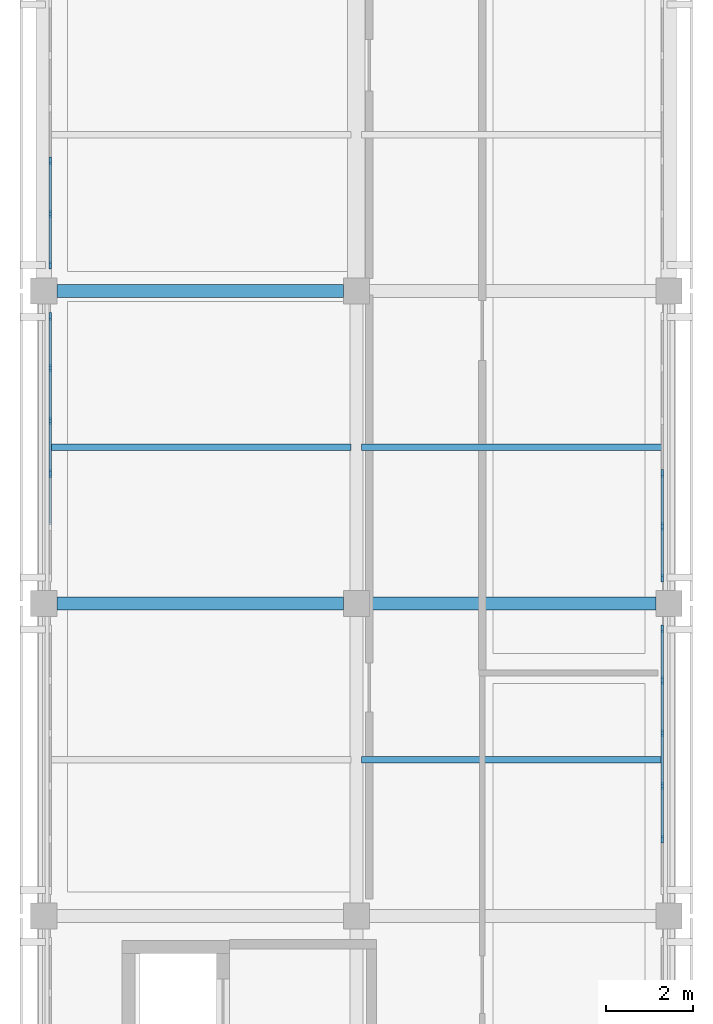
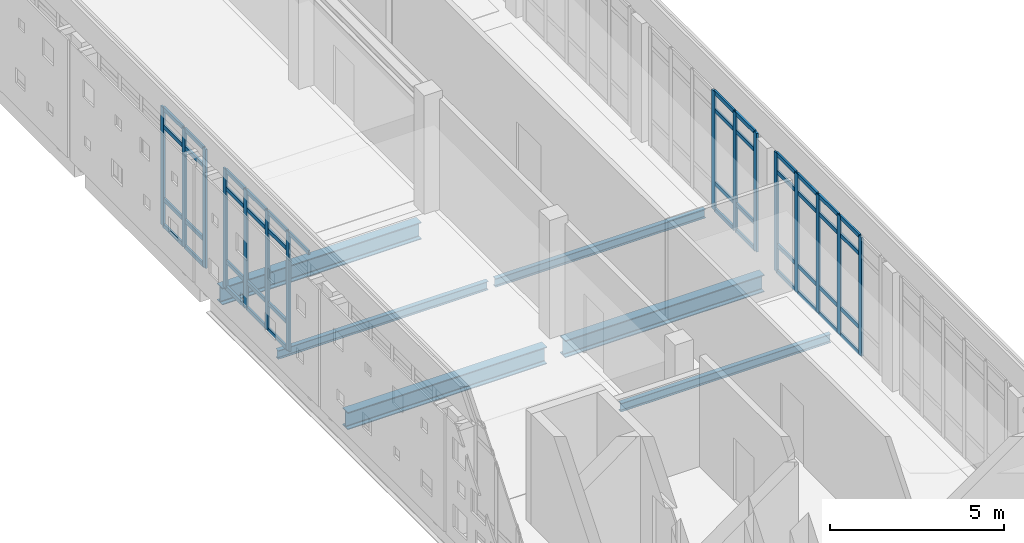
# One storey, part 5 of 19: 60 members, 6 beams, 4 elements without a shape of their own.
"""IFC4 building model written with IfcOpenShell, lengths in metres."""

from ifc_helpers import new_model, si_unit, direction, frame, origin, origin_2d, place, context, subcontext, project, spatial, rectangle, i_section, extrude, material, layer, layer_set, material_profile, profile_set, type_object, element, aggregate, save


model = new_model("IFC4")

# Units and contexts
model_context = context("Model", 3, precision=1e-05, world=origin(), true_north=direction((0.0, 1.0)))
body_context = subcontext(model_context, "Body", "Model", "MODEL_VIEW")
ifc_project = project(units=[si_unit("LENGTHUNIT", "METRE"), si_unit("AREAUNIT", "SQUARE_METRE"), si_unit("VOLUMEUNIT", "CUBIC_METRE"), si_unit("PLANEANGLEUNIT", "RADIAN"), si_unit("MASSUNIT", "GRAM", prefix="KILO")], contexts=[model_context])

# Site, building, storey
site_placement = place(None, origin())
site = spatial("IfcSite", under=ifc_project, at=site_placement, CompositionType="ELEMENT")
building_placement = place(site_placement, origin())
building = spatial("IfcBuilding", under=site, at=building_placement, Name="Valkovuoma Quantum and Materials Research Institute", CompositionType="ELEMENT")
storey_placement = place(building_placement, frame((0.0, 0.0, 38.080078125)))
storey = spatial("IfcBuildingStorey", under=building, at=storey_placement, Name="L09", CompositionType="ELEMENT", Elevation=38.080078125)

# Beams
ifc_material_1 = material(Name="Steel S355J2", Category="steel")
ifc_material_profile_1 = material_profile(ifc_material_1, i_section(OverallWidth=0.300048828125, OverallDepth=0.60009765625, WebThickness=0.015380859375, FlangeThickness=0.030029296875, FilletRadius=0.027099609375, at=origin_2d()), Name="Steel S355J2")
ifc_profile_set_1 = profile_set([ifc_material_profile_1], Name="Steel S355J2")
beam_type_1 = type_object("IfcBeamType", Name="Beam-B-HEB600", PredefinedType="BEAM", material=ifc_profile_set_1)
beam_1_placement = place(storey_placement, frame((0.300048828125, 50.39990234375, -0.650146484375), z_axis=(1.0, 0.0, 0.0), x_axis=(0.0, 1.0, 0.0)))
element("IfcBeam", 1, at=beam_1_placement, inside=storey, type_object=beam_type_1, Name="L09 beam X-2576", PredefinedType="BEAM", context=body_context, shape_type="SweptSolid", body=[
    extrude(i_section(OverallWidth=0.300048828125, OverallDepth=0.60009765625, WebThickness=0.015380859375, FlangeThickness=0.030029296875, FilletRadius=0.027099609375, at=origin_2d()), origin(), (0.0, 0.0, 1.0), 6.599853515625),
])
beam_2_placement = place(storey_placement, frame((7.5, 50.39990234375, -0.650146484375), z_axis=(1.0, 0.0, 0.0), x_axis=(0.0, 1.0, 0.0)))
element("IfcBeam", 2, at=beam_2_placement, inside=storey, type_object=beam_type_1, Name="L09 beam X-2577", PredefinedType="BEAM", context=body_context, shape_type="SweptSolid", body=[
    extrude(i_section(OverallWidth=0.300048828125, OverallDepth=0.60009765625, WebThickness=0.015380859375, FlangeThickness=0.030029296875, FilletRadius=0.027099609375, at=origin_2d()), origin(), (0.0, 0.0, 1.0), 6.60009765625),
])
beam_3_placement = place(storey_placement, frame((0.300048828125, 57.60009765625, -0.650146484375), z_axis=(1.0, 0.0, 0.0), x_axis=(0.0, 1.0, 0.0)))
element("IfcBeam", 3, at=beam_3_placement, inside=storey, type_object=beam_type_1, Name="L09 beam X-2578", PredefinedType="BEAM", context=body_context, shape_type="SweptSolid", body=[
    extrude(i_section(OverallWidth=0.300048828125, OverallDepth=0.60009765625, WebThickness=0.015380859375, FlangeThickness=0.030029296875, FilletRadius=0.027099609375, at=origin_2d()), origin(), (0.0, 0.0, 1.0), 6.599853515625),
])
ifc_material_2 = material(Name="Steel S355J2", Category="steel")
ifc_material_profile_2 = material_profile(ifc_material_2, i_section(OverallWidth=0.14990234375, OverallDepth=0.300048828125, WebThickness=0.007080078125, FlangeThickness=0.0107421875, FilletRadius=0.014892578125, at=origin_2d()), Name="Steel S355J2")
ifc_profile_set_2 = profile_set([ifc_material_profile_2], Name="Steel S355J2")
beam_type_2 = type_object("IfcBeamType", Name="Beam-B-JST300", PredefinedType="JOIST", material=ifc_profile_set_2)
for number, where, z_axis, x_axis, name in (
    (4, (7.320068359375, 46.800048828125, -0.5), (1.0, 0.0, 0.0), (0.0, 1.0, 0.0), "L09 floor joist 2603"),
    (5, (0.1201171875, 54.0, -0.5), (1.0, 0.0, 0.0), (0.0, 1.0, 0.0), "L09 floor joist 2604"),
    (6, (7.320068359375, 54.0, -0.5), (1.0, 0.0, 0.0), (0.0, 1.0, 0.0), "L09 floor joist 2605"),
):
    element("IfcBeam", number, at=place(storey_placement, frame(where, z_axis=z_axis, x_axis=x_axis)), inside=storey, type_object=beam_type_2, Name=name, PredefinedType="JOIST", context=body_context, shape_type="SweptSolid", body=[
        extrude(i_section(OverallWidth=0.14990234375, OverallDepth=0.300048828125, WebThickness=0.007080078125, FlangeThickness=0.0107421875, FilletRadius=0.014892578125, at=origin_2d()), origin(), (0.0, 0.0, 1.0), 6.9599609375),
    ])

# Curtain wall, members
ifc_material_3 = material(Name="Thermally broken aluminium and triple low-E glazing", Category="aluminium")
ifc_layer = layer(ifc_material_3, 0.219970703125)
ifc_layer_set = layer_set([ifc_layer], Name="Thermally broken aluminium and triple low-E glazing")
curtain_wall_type = type_object("IfcCurtainWallType", Name="CW-CW-01", PredefinedType="NOTDEFINED", material=ifc_layer_set)
curtain_wall_1_placement = place(storey_placement, origin())
curtain_wall_1 = element("IfcCurtainWall", 7, at=curtain_wall_1_placement, inside=storey, type_object=curtain_wall_type, Name="L09 curtain wall 133", PredefinedType="NOTDEFINED")
ifc_material_4 = material(Name="Anodised aluminium 6060-T66", Category="aluminium")
ifc_material_profile_3 = material_profile(ifc_material_4, rectangle(XDim=0.06494140625, YDim=0.179931640625, at=origin_2d()), Name="Anodised aluminium 6060-T66")
ifc_profile_set_3 = profile_set([ifc_material_profile_3], Name="Anodised aluminium 6060-T66")
member_type_1 = type_object("IfcMemberType", Name="CWMull-CWM-01", PredefinedType="MULLION", material=ifc_profile_set_3)
member_1_placement = place(storey_placement, frame((14.25, 44.974365234375, 0.0), z_axis=(0.0, 0.0, 1.0), x_axis=(-1.0, 0.0, 0.0)))
member_1 = element("IfcMember", 8, at=member_1_placement, type_object=member_type_1, Name="CW-01 mullion 2", PredefinedType="MULLION", context=body_context, shape_type="SweptSolid", body=[
    extrude(rectangle(XDim=0.06494140625, YDim=0.179931640625, at=origin_2d()), origin(), (0.0, 0.0, 1.0), 4.159912109375),
])
member_2_placement = place(storey_placement, frame((14.25, 46.19140625, 0.0), z_axis=(0.0, 0.0, 1.0), x_axis=(-1.0, 0.0, 0.0)))
member_2 = element("IfcMember", 9, at=member_2_placement, type_object=member_type_1, Name="CW-01 mullion 3", PredefinedType="MULLION", context=body_context, shape_type="SweptSolid", body=[
    extrude(rectangle(XDim=0.06494140625, YDim=0.179931640625, at=origin_2d()), origin(), (0.0, 0.0, 1.0), 4.159912109375),
])
member_3_placement = place(storey_placement, frame((14.25, 47.40869140625, 0.0), z_axis=(0.0, 0.0, 1.0), x_axis=(-1.0, 0.0, 0.0)))
member_3 = element("IfcMember", 10, at=member_3_placement, type_object=member_type_1, Name="CW-01 mullion 4", PredefinedType="MULLION", context=body_context, shape_type="SweptSolid", body=[
    extrude(rectangle(XDim=0.06494140625, YDim=0.179931640625, at=origin_2d()), origin(), (0.0, 0.0, 1.0), 4.159912109375),
])
member_4_placement = place(storey_placement, frame((14.25, 48.625732421875, 0.0), z_axis=(0.0, 0.0, 1.0), x_axis=(-1.0, 0.0, 0.0)))
member_4 = element("IfcMember", 11, at=member_4_placement, type_object=member_type_1, Name="CW-01 mullion 5", PredefinedType="MULLION", context=body_context, shape_type="SweptSolid", body=[
    extrude(rectangle(XDim=0.06494140625, YDim=0.179931640625, at=origin_2d()), origin(), (0.0, 0.0, 1.0), 4.159912109375),
])
member_5_placement = place(storey_placement, frame((14.25, 49.810302734375, 0.0), z_axis=(0.0, 0.0, 1.0), x_axis=(-1.0, 0.0, 0.0)))
member_5 = element("IfcMember", 12, at=member_5_placement, type_object=member_type_1, Name="CW-01 mullion 6", PredefinedType="MULLION", context=body_context, shape_type="SweptSolid", body=[
    extrude(rectangle(XDim=0.06494140625, YDim=0.179931640625, at=origin_2d()), origin(), (0.0, 0.0, 1.0), 4.159912109375),
])

curtain_wall_2_placement = place(storey_placement, origin())
curtain_wall_2 = element("IfcCurtainWall", 13, at=curtain_wall_2_placement, inside=storey, type_object=curtain_wall_type, Name="L09 curtain wall 134", PredefinedType="NOTDEFINED")
member_6_placement = place(storey_placement, frame((0.14990234375, 53.391357421875, 0.0), z_axis=(0.0, 0.0, 1.0), x_axis=(-1.0, 0.0, 0.0)))
member_6 = element("IfcMember", 14, at=member_6_placement, type_object=member_type_1, Name="CW-01 mullion 3", PredefinedType="MULLION", context=body_context, shape_type="SweptSolid", body=[
    extrude(rectangle(XDim=0.06494140625, YDim=0.179931640625, at=origin_2d()), origin(), (0.0, 0.0, 1.0), 4.159912109375),
])
member_7_placement = place(storey_placement, frame((0.14990234375, 54.608642578125, 0.0), z_axis=(0.0, 0.0, 1.0), x_axis=(-1.0, 0.0, 0.0)))
member_7 = element("IfcMember", 15, at=member_7_placement, type_object=member_type_1, Name="CW-01 mullion 4", PredefinedType="MULLION", context=body_context, shape_type="SweptSolid", body=[
    extrude(rectangle(XDim=0.06494140625, YDim=0.179931640625, at=origin_2d()), origin(), (0.0, 0.0, 1.0), 4.159912109375),
])
member_8_placement = place(storey_placement, frame((0.14990234375, 55.82568359375, 0.0), z_axis=(0.0, 0.0, 1.0), x_axis=(-1.0, 0.0, 0.0)))
member_8 = element("IfcMember", 16, at=member_8_placement, type_object=member_type_1, Name="CW-01 mullion 5", PredefinedType="MULLION", context=body_context, shape_type="SweptSolid", body=[
    extrude(rectangle(XDim=0.06494140625, YDim=0.179931640625, at=origin_2d()), origin(), (0.0, 0.0, 1.0), 4.159912109375),
])
member_9_placement = place(storey_placement, frame((0.14990234375, 57.010498046875, 0.0), z_axis=(0.0, 0.0, 1.0), x_axis=(-1.0, 0.0, 0.0)))
member_9 = element("IfcMember", 17, at=member_9_placement, type_object=member_type_1, Name="CW-01 mullion 6", PredefinedType="MULLION", context=body_context, shape_type="SweptSolid", body=[
    extrude(rectangle(XDim=0.06494140625, YDim=0.179931640625, at=origin_2d()), origin(), (0.0, 0.0, 1.0), 4.159912109375),
])

curtain_wall_3_placement = place(storey_placement, origin())
curtain_wall_3 = element("IfcCurtainWall", 18, at=curtain_wall_3_placement, inside=storey, type_object=curtain_wall_type, Name="L09 curtain wall 135", PredefinedType="NOTDEFINED")
member_10_placement = place(storey_placement, frame((14.25, 50.989501953125, 0.0), z_axis=(0.0, 0.0, 1.0), x_axis=(-1.0, 0.0, 0.0)))
member_10 = element("IfcMember", 19, at=member_10_placement, type_object=member_type_1, Name="CW-01 mullion 1", PredefinedType="MULLION", context=body_context, shape_type="SweptSolid", body=[
    extrude(rectangle(XDim=0.06494140625, YDim=0.179931640625, at=origin_2d()), origin(), (0.0, 0.0, 1.0), 4.159912109375),
])
member_11_placement = place(storey_placement, frame((14.25, 52.17431640625, 0.0), z_axis=(0.0, 0.0, 1.0), x_axis=(-1.0, 0.0, 0.0)))
member_11 = element("IfcMember", 20, at=member_11_placement, type_object=member_type_1, Name="CW-01 mullion 2", PredefinedType="MULLION", context=body_context, shape_type="SweptSolid", body=[
    extrude(rectangle(XDim=0.06494140625, YDim=0.179931640625, at=origin_2d()), origin(), (0.0, 0.0, 1.0), 4.159912109375),
])
member_12_placement = place(storey_placement, frame((14.25, 53.391357421875, 0.0), z_axis=(0.0, 0.0, 1.0), x_axis=(-1.0, 0.0, 0.0)))
member_12 = element("IfcMember", 21, at=member_12_placement, type_object=member_type_1, Name="CW-01 mullion 3", PredefinedType="MULLION", context=body_context, shape_type="SweptSolid", body=[
    extrude(rectangle(XDim=0.06494140625, YDim=0.179931640625, at=origin_2d()), origin(), (0.0, 0.0, 1.0), 4.159912109375),
])

curtain_wall_4_placement = place(storey_placement, origin())
curtain_wall_4 = element("IfcCurtainWall", 22, at=curtain_wall_4_placement, inside=storey, type_object=curtain_wall_type, Name="L09 curtain wall 136", PredefinedType="NOTDEFINED")
member_13_placement = place(storey_placement, frame((0.14990234375, 58.189697265625, 0.0), z_axis=(0.0, 0.0, 1.0), x_axis=(-1.0, 0.0, 0.0)))
member_13 = element("IfcMember", 23, at=member_13_placement, type_object=member_type_1, Name="CW-01 mullion 1", PredefinedType="MULLION", context=body_context, shape_type="SweptSolid", body=[
    extrude(rectangle(XDim=0.06494140625, YDim=0.179931640625, at=origin_2d()), origin(), (0.0, 0.0, 1.0), 4.159912109375),
])
member_14_placement = place(storey_placement, frame((0.14990234375, 59.374267578125, 0.0), z_axis=(0.0, 0.0, 1.0), x_axis=(-1.0, 0.0, 0.0)))
member_14 = element("IfcMember", 24, at=member_14_placement, type_object=member_type_1, Name="CW-01 mullion 2", PredefinedType="MULLION", context=body_context, shape_type="SweptSolid", body=[
    extrude(rectangle(XDim=0.06494140625, YDim=0.179931640625, at=origin_2d()), origin(), (0.0, 0.0, 1.0), 4.159912109375),
])
member_15_placement = place(storey_placement, frame((0.14990234375, 60.59130859375, 0.0), z_axis=(0.0, 0.0, 1.0), x_axis=(-1.0, 0.0, 0.0)))
member_15 = element("IfcMember", 25, at=member_15_placement, type_object=member_type_1, Name="CW-01 mullion 3", PredefinedType="MULLION", context=body_context, shape_type="SweptSolid", body=[
    extrude(rectangle(XDim=0.06494140625, YDim=0.179931640625, at=origin_2d()), origin(), (0.0, 0.0, 1.0), 4.159912109375),
])

# Member
ifc_material_5 = material(Name="Anodised aluminium 6060-T66", Category="aluminium")
ifc_material_profile_4 = material_profile(ifc_material_5, rectangle(XDim=0.06494140625, YDim=0.139892578125, at=origin_2d()), Name="Anodised aluminium 6060-T66")
ifc_profile_set_4 = profile_set([ifc_material_profile_4], Name="Anodised aluminium 6060-T66")
member_type_2 = type_object("IfcMemberType", Name="CWTran-CWT-01", PredefinedType="USERDEFINED", material=ifc_profile_set_4)
member_16_placement = place(storey_placement, frame((14.25, 45.0068359375, 0.032470703125), z_axis=(0.0, 1.0, 0.0), x_axis=(-1.0, 0.0, 0.0)))
member_16 = element("IfcMember", 26, at=member_16_placement, type_object=member_type_2, Name="CW-01 transom 2.1", ObjectType="TRANSOM", PredefinedType="USERDEFINED", context=body_context, shape_type="SweptSolid", body=[
    extrude(rectangle(XDim=0.06494140625, YDim=0.139892578125, at=origin_2d()), origin(), (0.0, 0.0, 1.0), 1.152099609375),
])

member_17_placement = place(storey_placement, frame((14.25, 45.0068359375, 0.949951171875), z_axis=(0.0, 1.0, 0.0), x_axis=(-1.0, 0.0, 0.0)))
member_17 = element("IfcMember", 27, at=member_17_placement, type_object=member_type_2, Name="CW-01 transom 2.2", ObjectType="TRANSOM", PredefinedType="USERDEFINED", context=body_context, shape_type="SweptSolid", body=[
    extrude(rectangle(XDim=0.06494140625, YDim=0.139892578125, at=origin_2d()), origin(), (0.0, 0.0, 1.0), 1.152099609375),
])

member_18_placement = place(storey_placement, frame((14.25, 45.0068359375, 3.510009765625), z_axis=(0.0, 1.0, 0.0), x_axis=(-1.0, 0.0, 0.0)))
member_18 = element("IfcMember", 28, at=member_18_placement, type_object=member_type_2, Name="CW-01 transom 2.3", ObjectType="TRANSOM", PredefinedType="USERDEFINED", context=body_context, shape_type="SweptSolid", body=[
    extrude(rectangle(XDim=0.06494140625, YDim=0.139892578125, at=origin_2d()), origin(), (0.0, 0.0, 1.0), 1.152099609375),
])

member_19_placement = place(storey_placement, frame((14.25, 45.0068359375, 4.12744140625), z_axis=(0.0, 1.0, 0.0), x_axis=(-1.0, 0.0, 0.0)))
member_19 = element("IfcMember", 29, at=member_19_placement, type_object=member_type_2, Name="CW-01 transom 2.4", ObjectType="TRANSOM", PredefinedType="USERDEFINED", context=body_context, shape_type="SweptSolid", body=[
    extrude(rectangle(XDim=0.06494140625, YDim=0.139892578125, at=origin_2d()), origin(), (0.0, 0.0, 1.0), 1.152099609375),
])

member_20_placement = place(storey_placement, frame((14.25, 46.223876953125, 0.032470703125), z_axis=(0.0, 1.0, 0.0), x_axis=(-1.0, 0.0, 0.0)))
member_20 = element("IfcMember", 30, at=member_20_placement, type_object=member_type_2, Name="CW-01 transom 3.1", ObjectType="TRANSOM", PredefinedType="USERDEFINED", context=body_context, shape_type="SweptSolid", body=[
    extrude(rectangle(XDim=0.06494140625, YDim=0.139892578125, at=origin_2d()), origin(), (0.0, 0.0, 1.0), 1.152099609375),
])

member_21_placement = place(storey_placement, frame((14.25, 46.223876953125, 0.949951171875), z_axis=(0.0, 1.0, 0.0), x_axis=(-1.0, 0.0, 0.0)))
member_21 = element("IfcMember", 31, at=member_21_placement, type_object=member_type_2, Name="CW-01 transom 3.2", ObjectType="TRANSOM", PredefinedType="USERDEFINED", context=body_context, shape_type="SweptSolid", body=[
    extrude(rectangle(XDim=0.06494140625, YDim=0.139892578125, at=origin_2d()), origin(), (0.0, 0.0, 1.0), 1.152099609375),
])

member_22_placement = place(storey_placement, frame((14.25, 46.223876953125, 3.510009765625), z_axis=(0.0, 1.0, 0.0), x_axis=(-1.0, 0.0, 0.0)))
member_22 = element("IfcMember", 32, at=member_22_placement, type_object=member_type_2, Name="CW-01 transom 3.3", ObjectType="TRANSOM", PredefinedType="USERDEFINED", context=body_context, shape_type="SweptSolid", body=[
    extrude(rectangle(XDim=0.06494140625, YDim=0.139892578125, at=origin_2d()), origin(), (0.0, 0.0, 1.0), 1.152099609375),
])

member_23_placement = place(storey_placement, frame((14.25, 46.223876953125, 4.12744140625), z_axis=(0.0, 1.0, 0.0), x_axis=(-1.0, 0.0, 0.0)))
member_23 = element("IfcMember", 33, at=member_23_placement, type_object=member_type_2, Name="CW-01 transom 3.4", ObjectType="TRANSOM", PredefinedType="USERDEFINED", context=body_context, shape_type="SweptSolid", body=[
    extrude(rectangle(XDim=0.06494140625, YDim=0.139892578125, at=origin_2d()), origin(), (0.0, 0.0, 1.0), 1.152099609375),
])

member_24_placement = place(storey_placement, frame((14.25, 47.441162109375, 0.032470703125), z_axis=(0.0, 1.0, 0.0), x_axis=(-1.0, 0.0, 0.0)))
member_24 = element("IfcMember", 34, at=member_24_placement, type_object=member_type_2, Name="CW-01 transom 4.1", ObjectType="TRANSOM", PredefinedType="USERDEFINED", context=body_context, shape_type="SweptSolid", body=[
    extrude(rectangle(XDim=0.06494140625, YDim=0.139892578125, at=origin_2d()), origin(), (0.0, 0.0, 1.0), 1.152099609375),
])

member_25_placement = place(storey_placement, frame((14.25, 47.441162109375, 0.949951171875), z_axis=(0.0, 1.0, 0.0), x_axis=(-1.0, 0.0, 0.0)))
member_25 = element("IfcMember", 35, at=member_25_placement, type_object=member_type_2, Name="CW-01 transom 4.2", ObjectType="TRANSOM", PredefinedType="USERDEFINED", context=body_context, shape_type="SweptSolid", body=[
    extrude(rectangle(XDim=0.06494140625, YDim=0.139892578125, at=origin_2d()), origin(), (0.0, 0.0, 1.0), 1.152099609375),
])

member_26_placement = place(storey_placement, frame((14.25, 47.441162109375, 3.510009765625), z_axis=(0.0, 1.0, 0.0), x_axis=(-1.0, 0.0, 0.0)))
member_26 = element("IfcMember", 36, at=member_26_placement, type_object=member_type_2, Name="CW-01 transom 4.3", ObjectType="TRANSOM", PredefinedType="USERDEFINED", context=body_context, shape_type="SweptSolid", body=[
    extrude(rectangle(XDim=0.06494140625, YDim=0.139892578125, at=origin_2d()), origin(), (0.0, 0.0, 1.0), 1.152099609375),
])

member_27_placement = place(storey_placement, frame((14.25, 47.441162109375, 4.12744140625), z_axis=(0.0, 1.0, 0.0), x_axis=(-1.0, 0.0, 0.0)))
member_27 = element("IfcMember", 37, at=member_27_placement, type_object=member_type_2, Name="CW-01 transom 4.4", ObjectType="TRANSOM", PredefinedType="USERDEFINED", context=body_context, shape_type="SweptSolid", body=[
    extrude(rectangle(XDim=0.06494140625, YDim=0.139892578125, at=origin_2d()), origin(), (0.0, 0.0, 1.0), 1.152099609375),
])

member_28_placement = place(storey_placement, frame((14.25, 48.658203125, 0.032470703125), z_axis=(0.0, 1.0, 0.0), x_axis=(-1.0, 0.0, 0.0)))
member_28 = element("IfcMember", 38, at=member_28_placement, type_object=member_type_2, Name="CW-01 transom 5.1", ObjectType="TRANSOM", PredefinedType="USERDEFINED", context=body_context, shape_type="SweptSolid", body=[
    extrude(rectangle(XDim=0.06494140625, YDim=0.139892578125, at=origin_2d()), origin(), (0.0, 0.0, 1.0), 1.11962890625),
])

member_29_placement = place(storey_placement, frame((14.25, 48.658203125, 0.949951171875), z_axis=(0.0, 1.0, 0.0), x_axis=(-1.0, 0.0, 0.0)))
member_29 = element("IfcMember", 39, at=member_29_placement, type_object=member_type_2, Name="CW-01 transom 5.2", ObjectType="TRANSOM", PredefinedType="USERDEFINED", context=body_context, shape_type="SweptSolid", body=[
    extrude(rectangle(XDim=0.06494140625, YDim=0.139892578125, at=origin_2d()), origin(), (0.0, 0.0, 1.0), 1.11962890625),
])

member_30_placement = place(storey_placement, frame((14.25, 48.658203125, 3.510009765625), z_axis=(0.0, 1.0, 0.0), x_axis=(-1.0, 0.0, 0.0)))
member_30 = element("IfcMember", 40, at=member_30_placement, type_object=member_type_2, Name="CW-01 transom 5.3", ObjectType="TRANSOM", PredefinedType="USERDEFINED", context=body_context, shape_type="SweptSolid", body=[
    extrude(rectangle(XDim=0.06494140625, YDim=0.139892578125, at=origin_2d()), origin(), (0.0, 0.0, 1.0), 1.11962890625),
])

member_31_placement = place(storey_placement, frame((14.25, 48.658203125, 4.12744140625), z_axis=(0.0, 1.0, 0.0), x_axis=(-1.0, 0.0, 0.0)))
member_31 = element("IfcMember", 41, at=member_31_placement, type_object=member_type_2, Name="CW-01 transom 5.4", ObjectType="TRANSOM", PredefinedType="USERDEFINED", context=body_context, shape_type="SweptSolid", body=[
    extrude(rectangle(XDim=0.06494140625, YDim=0.139892578125, at=origin_2d()), origin(), (0.0, 0.0, 1.0), 1.11962890625),
])

aggregate(curtain_wall_1, [member_1, member_2, member_3, member_4, member_5, member_16, member_17, member_18, member_19, member_20, member_21, member_22, member_23, member_24, member_25, member_26, member_27, member_28, member_29, member_30, member_31])

member_32_placement = place(storey_placement, frame((0.14990234375, 52.206787109375, 4.12744140625), z_axis=(0.0, 1.0, 0.0), x_axis=(-1.0, 0.0, 0.0)))
member_32 = element("IfcMember", 42, at=member_32_placement, type_object=member_type_2, Name="CW-01 transom 2.4", ObjectType="TRANSOM", PredefinedType="USERDEFINED", context=body_context, shape_type="SweptSolid", body=[
    extrude(rectangle(XDim=0.06494140625, YDim=0.139892578125, at=origin_2d()), origin(), (0.0, 0.0, 1.0), 1.152099609375),
])

member_33_placement = place(storey_placement, frame((0.14990234375, 53.423828125, 0.032470703125), z_axis=(0.0, 1.0, 0.0), x_axis=(-1.0, 0.0, 0.0)))
member_33 = element("IfcMember", 43, at=member_33_placement, type_object=member_type_2, Name="CW-01 transom 3.1", ObjectType="TRANSOM", PredefinedType="USERDEFINED", context=body_context, shape_type="SweptSolid", body=[
    extrude(rectangle(XDim=0.06494140625, YDim=0.139892578125, at=origin_2d()), origin(), (0.0, 0.0, 1.0), 1.15234375),
])

member_34_placement = place(storey_placement, frame((0.14990234375, 53.423828125, 0.949951171875), z_axis=(0.0, 1.0, 0.0), x_axis=(-1.0, 0.0, 0.0)))
member_34 = element("IfcMember", 44, at=member_34_placement, type_object=member_type_2, Name="CW-01 transom 3.2", ObjectType="TRANSOM", PredefinedType="USERDEFINED", context=body_context, shape_type="SweptSolid", body=[
    extrude(rectangle(XDim=0.06494140625, YDim=0.139892578125, at=origin_2d()), origin(), (0.0, 0.0, 1.0), 1.15234375),
])

member_35_placement = place(storey_placement, frame((0.14990234375, 53.423828125, 3.510009765625), z_axis=(0.0, 1.0, 0.0), x_axis=(-1.0, 0.0, 0.0)))
member_35 = element("IfcMember", 45, at=member_35_placement, type_object=member_type_2, Name="CW-01 transom 3.3", ObjectType="TRANSOM", PredefinedType="USERDEFINED", context=body_context, shape_type="SweptSolid", body=[
    extrude(rectangle(XDim=0.06494140625, YDim=0.139892578125, at=origin_2d()), origin(), (0.0, 0.0, 1.0), 1.15234375),
])

member_36_placement = place(storey_placement, frame((0.14990234375, 53.423828125, 4.12744140625), z_axis=(0.0, 1.0, 0.0), x_axis=(-1.0, 0.0, 0.0)))
member_36 = element("IfcMember", 46, at=member_36_placement, type_object=member_type_2, Name="CW-01 transom 3.4", ObjectType="TRANSOM", PredefinedType="USERDEFINED", context=body_context, shape_type="SweptSolid", body=[
    extrude(rectangle(XDim=0.06494140625, YDim=0.139892578125, at=origin_2d()), origin(), (0.0, 0.0, 1.0), 1.15234375),
])

member_37_placement = place(storey_placement, frame((0.14990234375, 54.64111328125, 0.032470703125), z_axis=(0.0, 1.0, 0.0), x_axis=(-1.0, 0.0, 0.0)))
member_37 = element("IfcMember", 47, at=member_37_placement, type_object=member_type_2, Name="CW-01 transom 4.1", ObjectType="TRANSOM", PredefinedType="USERDEFINED", context=body_context, shape_type="SweptSolid", body=[
    extrude(rectangle(XDim=0.06494140625, YDim=0.139892578125, at=origin_2d()), origin(), (0.0, 0.0, 1.0), 1.152099609375),
])

member_38_placement = place(storey_placement, frame((0.14990234375, 54.64111328125, 0.949951171875), z_axis=(0.0, 1.0, 0.0), x_axis=(-1.0, 0.0, 0.0)))
member_38 = element("IfcMember", 48, at=member_38_placement, type_object=member_type_2, Name="CW-01 transom 4.2", ObjectType="TRANSOM", PredefinedType="USERDEFINED", context=body_context, shape_type="SweptSolid", body=[
    extrude(rectangle(XDim=0.06494140625, YDim=0.139892578125, at=origin_2d()), origin(), (0.0, 0.0, 1.0), 1.152099609375),
])

member_39_placement = place(storey_placement, frame((0.14990234375, 54.64111328125, 3.510009765625), z_axis=(0.0, 1.0, 0.0), x_axis=(-1.0, 0.0, 0.0)))
member_39 = element("IfcMember", 49, at=member_39_placement, type_object=member_type_2, Name="CW-01 transom 4.3", ObjectType="TRANSOM", PredefinedType="USERDEFINED", context=body_context, shape_type="SweptSolid", body=[
    extrude(rectangle(XDim=0.06494140625, YDim=0.139892578125, at=origin_2d()), origin(), (0.0, 0.0, 1.0), 1.152099609375),
])

member_40_placement = place(storey_placement, frame((0.14990234375, 54.64111328125, 4.12744140625), z_axis=(0.0, 1.0, 0.0), x_axis=(-1.0, 0.0, 0.0)))
member_40 = element("IfcMember", 50, at=member_40_placement, type_object=member_type_2, Name="CW-01 transom 4.4", ObjectType="TRANSOM", PredefinedType="USERDEFINED", context=body_context, shape_type="SweptSolid", body=[
    extrude(rectangle(XDim=0.06494140625, YDim=0.139892578125, at=origin_2d()), origin(), (0.0, 0.0, 1.0), 1.152099609375),
])

member_41_placement = place(storey_placement, frame((0.14990234375, 55.858154296875, 0.032470703125), z_axis=(0.0, 1.0, 0.0), x_axis=(-1.0, 0.0, 0.0)))
member_41 = element("IfcMember", 51, at=member_41_placement, type_object=member_type_2, Name="CW-01 transom 5.1", ObjectType="TRANSOM", PredefinedType="USERDEFINED", context=body_context, shape_type="SweptSolid", body=[
    extrude(rectangle(XDim=0.06494140625, YDim=0.139892578125, at=origin_2d()), origin(), (0.0, 0.0, 1.0), 1.11962890625),
])

member_42_placement = place(storey_placement, frame((0.14990234375, 55.858154296875, 0.949951171875), z_axis=(0.0, 1.0, 0.0), x_axis=(-1.0, 0.0, 0.0)))
member_42 = element("IfcMember", 52, at=member_42_placement, type_object=member_type_2, Name="CW-01 transom 5.2", ObjectType="TRANSOM", PredefinedType="USERDEFINED", context=body_context, shape_type="SweptSolid", body=[
    extrude(rectangle(XDim=0.06494140625, YDim=0.139892578125, at=origin_2d()), origin(), (0.0, 0.0, 1.0), 1.11962890625),
])

member_43_placement = place(storey_placement, frame((0.14990234375, 55.858154296875, 3.510009765625), z_axis=(0.0, 1.0, 0.0), x_axis=(-1.0, 0.0, 0.0)))
member_43 = element("IfcMember", 53, at=member_43_placement, type_object=member_type_2, Name="CW-01 transom 5.3", ObjectType="TRANSOM", PredefinedType="USERDEFINED", context=body_context, shape_type="SweptSolid", body=[
    extrude(rectangle(XDim=0.06494140625, YDim=0.139892578125, at=origin_2d()), origin(), (0.0, 0.0, 1.0), 1.11962890625),
])

member_44_placement = place(storey_placement, frame((0.14990234375, 55.858154296875, 4.12744140625), z_axis=(0.0, 1.0, 0.0), x_axis=(-1.0, 0.0, 0.0)))
member_44 = element("IfcMember", 54, at=member_44_placement, type_object=member_type_2, Name="CW-01 transom 5.4", ObjectType="TRANSOM", PredefinedType="USERDEFINED", context=body_context, shape_type="SweptSolid", body=[
    extrude(rectangle(XDim=0.06494140625, YDim=0.139892578125, at=origin_2d()), origin(), (0.0, 0.0, 1.0), 1.11962890625),
])

aggregate(curtain_wall_2, [member_6, member_7, member_8, member_9, member_32, member_33, member_34, member_35, member_36, member_37, member_38, member_39, member_40, member_41, member_42, member_43, member_44])

member_45_placement = place(storey_placement, frame((14.25, 51.022216796875, 0.032470703125), z_axis=(0.0, 1.0, 0.0), x_axis=(-1.0, 0.0, 0.0)))
member_45 = element("IfcMember", 55, at=member_45_placement, type_object=member_type_2, Name="CW-01 transom 1.1", ObjectType="TRANSOM", PredefinedType="USERDEFINED", context=body_context, shape_type="SweptSolid", body=[
    extrude(rectangle(XDim=0.06494140625, YDim=0.139892578125, at=origin_2d()), origin(), (0.0, 0.0, 1.0), 1.11962890625),
])

member_46_placement = place(storey_placement, frame((14.25, 51.022216796875, 0.949951171875), z_axis=(0.0, 1.0, 0.0), x_axis=(-1.0, 0.0, 0.0)))
member_46 = element("IfcMember", 56, at=member_46_placement, type_object=member_type_2, Name="CW-01 transom 1.2", ObjectType="TRANSOM", PredefinedType="USERDEFINED", context=body_context, shape_type="SweptSolid", body=[
    extrude(rectangle(XDim=0.06494140625, YDim=0.139892578125, at=origin_2d()), origin(), (0.0, 0.0, 1.0), 1.11962890625),
])

member_47_placement = place(storey_placement, frame((14.25, 51.022216796875, 3.510009765625), z_axis=(0.0, 1.0, 0.0), x_axis=(-1.0, 0.0, 0.0)))
member_47 = element("IfcMember", 57, at=member_47_placement, type_object=member_type_2, Name="CW-01 transom 1.3", ObjectType="TRANSOM", PredefinedType="USERDEFINED", context=body_context, shape_type="SweptSolid", body=[
    extrude(rectangle(XDim=0.06494140625, YDim=0.139892578125, at=origin_2d()), origin(), (0.0, 0.0, 1.0), 1.11962890625),
])

member_48_placement = place(storey_placement, frame((14.25, 51.022216796875, 4.12744140625), z_axis=(0.0, 1.0, 0.0), x_axis=(-1.0, 0.0, 0.0)))
member_48 = element("IfcMember", 58, at=member_48_placement, type_object=member_type_2, Name="CW-01 transom 1.4", ObjectType="TRANSOM", PredefinedType="USERDEFINED", context=body_context, shape_type="SweptSolid", body=[
    extrude(rectangle(XDim=0.06494140625, YDim=0.139892578125, at=origin_2d()), origin(), (0.0, 0.0, 1.0), 1.11962890625),
])

member_49_placement = place(storey_placement, frame((14.25, 52.206787109375, 0.032470703125), z_axis=(0.0, 1.0, 0.0), x_axis=(-1.0, 0.0, 0.0)))
member_49 = element("IfcMember", 59, at=member_49_placement, type_object=member_type_2, Name="CW-01 transom 2.1", ObjectType="TRANSOM", PredefinedType="USERDEFINED", context=body_context, shape_type="SweptSolid", body=[
    extrude(rectangle(XDim=0.06494140625, YDim=0.139892578125, at=origin_2d()), origin(), (0.0, 0.0, 1.0), 1.152099609375),
])

member_50_placement = place(storey_placement, frame((14.25, 52.206787109375, 0.949951171875), z_axis=(0.0, 1.0, 0.0), x_axis=(-1.0, 0.0, 0.0)))
member_50 = element("IfcMember", 60, at=member_50_placement, type_object=member_type_2, Name="CW-01 transom 2.2", ObjectType="TRANSOM", PredefinedType="USERDEFINED", context=body_context, shape_type="SweptSolid", body=[
    extrude(rectangle(XDim=0.06494140625, YDim=0.139892578125, at=origin_2d()), origin(), (0.0, 0.0, 1.0), 1.152099609375),
])

member_51_placement = place(storey_placement, frame((14.25, 52.206787109375, 3.510009765625), z_axis=(0.0, 1.0, 0.0), x_axis=(-1.0, 0.0, 0.0)))
member_51 = element("IfcMember", 61, at=member_51_placement, type_object=member_type_2, Name="CW-01 transom 2.3", ObjectType="TRANSOM", PredefinedType="USERDEFINED", context=body_context, shape_type="SweptSolid", body=[
    extrude(rectangle(XDim=0.06494140625, YDim=0.139892578125, at=origin_2d()), origin(), (0.0, 0.0, 1.0), 1.152099609375),
])

member_52_placement = place(storey_placement, frame((14.25, 52.206787109375, 4.12744140625), z_axis=(0.0, 1.0, 0.0), x_axis=(-1.0, 0.0, 0.0)))
member_52 = element("IfcMember", 62, at=member_52_placement, type_object=member_type_2, Name="CW-01 transom 2.4", ObjectType="TRANSOM", PredefinedType="USERDEFINED", context=body_context, shape_type="SweptSolid", body=[
    extrude(rectangle(XDim=0.06494140625, YDim=0.139892578125, at=origin_2d()), origin(), (0.0, 0.0, 1.0), 1.152099609375),
])

aggregate(curtain_wall_3, [member_10, member_11, member_12, member_45, member_46, member_47, member_48, member_49, member_50, member_51, member_52])

member_53_placement = place(storey_placement, frame((0.14990234375, 58.22216796875, 0.032470703125), z_axis=(0.0, 1.0, 0.0), x_axis=(-1.0, 0.0, 0.0)))
member_53 = element("IfcMember", 63, at=member_53_placement, type_object=member_type_2, Name="CW-01 transom 1.1", ObjectType="TRANSOM", PredefinedType="USERDEFINED", context=body_context, shape_type="SweptSolid", body=[
    extrude(rectangle(XDim=0.06494140625, YDim=0.139892578125, at=origin_2d()), origin(), (0.0, 0.0, 1.0), 1.11962890625),
])

member_54_placement = place(storey_placement, frame((0.14990234375, 58.22216796875, 0.949951171875), z_axis=(0.0, 1.0, 0.0), x_axis=(-1.0, 0.0, 0.0)))
member_54 = element("IfcMember", 64, at=member_54_placement, type_object=member_type_2, Name="CW-01 transom 1.2", ObjectType="TRANSOM", PredefinedType="USERDEFINED", context=body_context, shape_type="SweptSolid", body=[
    extrude(rectangle(XDim=0.06494140625, YDim=0.139892578125, at=origin_2d()), origin(), (0.0, 0.0, 1.0), 1.11962890625),
])

member_55_placement = place(storey_placement, frame((0.14990234375, 58.22216796875, 3.510009765625), z_axis=(0.0, 1.0, 0.0), x_axis=(-1.0, 0.0, 0.0)))
member_55 = element("IfcMember", 65, at=member_55_placement, type_object=member_type_2, Name="CW-01 transom 1.3", ObjectType="TRANSOM", PredefinedType="USERDEFINED", context=body_context, shape_type="SweptSolid", body=[
    extrude(rectangle(XDim=0.06494140625, YDim=0.139892578125, at=origin_2d()), origin(), (0.0, 0.0, 1.0), 1.11962890625),
])

member_56_placement = place(storey_placement, frame((0.14990234375, 58.22216796875, 4.12744140625), z_axis=(0.0, 1.0, 0.0), x_axis=(-1.0, 0.0, 0.0)))
member_56 = element("IfcMember", 66, at=member_56_placement, type_object=member_type_2, Name="CW-01 transom 1.4", ObjectType="TRANSOM", PredefinedType="USERDEFINED", context=body_context, shape_type="SweptSolid", body=[
    extrude(rectangle(XDim=0.06494140625, YDim=0.139892578125, at=origin_2d()), origin(), (0.0, 0.0, 1.0), 1.11962890625),
])

member_57_placement = place(storey_placement, frame((0.14990234375, 59.40673828125, 0.032470703125), z_axis=(0.0, 1.0, 0.0), x_axis=(-1.0, 0.0, 0.0)))
member_57 = element("IfcMember", 67, at=member_57_placement, type_object=member_type_2, Name="CW-01 transom 2.1", ObjectType="TRANSOM", PredefinedType="USERDEFINED", context=body_context, shape_type="SweptSolid", body=[
    extrude(rectangle(XDim=0.06494140625, YDim=0.139892578125, at=origin_2d()), origin(), (0.0, 0.0, 1.0), 1.152099609375),
])

member_58_placement = place(storey_placement, frame((0.14990234375, 59.40673828125, 0.949951171875), z_axis=(0.0, 1.0, 0.0), x_axis=(-1.0, 0.0, 0.0)))
member_58 = element("IfcMember", 68, at=member_58_placement, type_object=member_type_2, Name="CW-01 transom 2.2", ObjectType="TRANSOM", PredefinedType="USERDEFINED", context=body_context, shape_type="SweptSolid", body=[
    extrude(rectangle(XDim=0.06494140625, YDim=0.139892578125, at=origin_2d()), origin(), (0.0, 0.0, 1.0), 1.152099609375),
])

member_59_placement = place(storey_placement, frame((0.14990234375, 59.40673828125, 3.510009765625), z_axis=(0.0, 1.0, 0.0), x_axis=(-1.0, 0.0, 0.0)))
member_59 = element("IfcMember", 69, at=member_59_placement, type_object=member_type_2, Name="CW-01 transom 2.3", ObjectType="TRANSOM", PredefinedType="USERDEFINED", context=body_context, shape_type="SweptSolid", body=[
    extrude(rectangle(XDim=0.06494140625, YDim=0.139892578125, at=origin_2d()), origin(), (0.0, 0.0, 1.0), 1.152099609375),
])

member_60_placement = place(storey_placement, frame((0.14990234375, 59.40673828125, 4.12744140625), z_axis=(0.0, 1.0, 0.0), x_axis=(-1.0, 0.0, 0.0)))
member_60 = element("IfcMember", 70, at=member_60_placement, type_object=member_type_2, Name="CW-01 transom 2.4", ObjectType="TRANSOM", PredefinedType="USERDEFINED", context=body_context, shape_type="SweptSolid", body=[
    extrude(rectangle(XDim=0.06494140625, YDim=0.139892578125, at=origin_2d()), origin(), (0.0, 0.0, 1.0), 1.152099609375),
])

aggregate(curtain_wall_4, [member_13, member_14, member_15, member_53, member_54, member_55, member_56, member_57, member_58, member_59, member_60])

save(model, "model.ifc")
